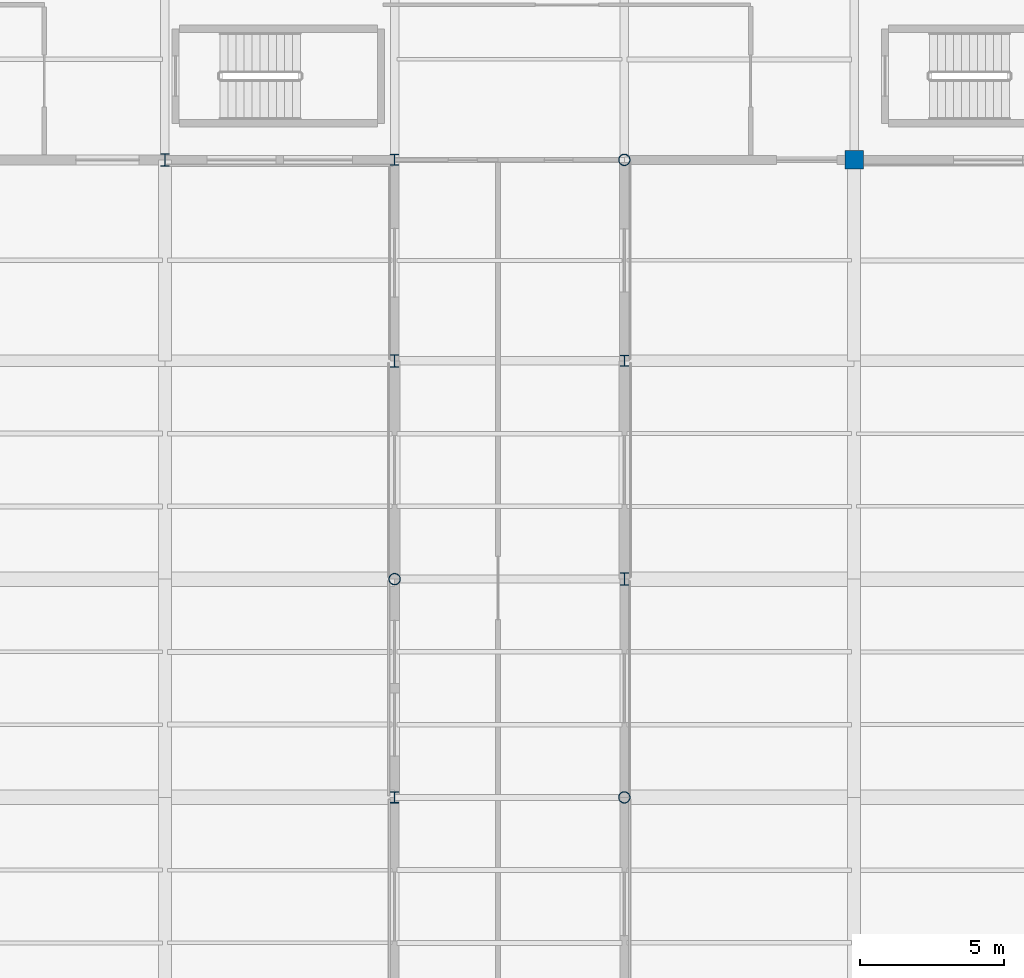
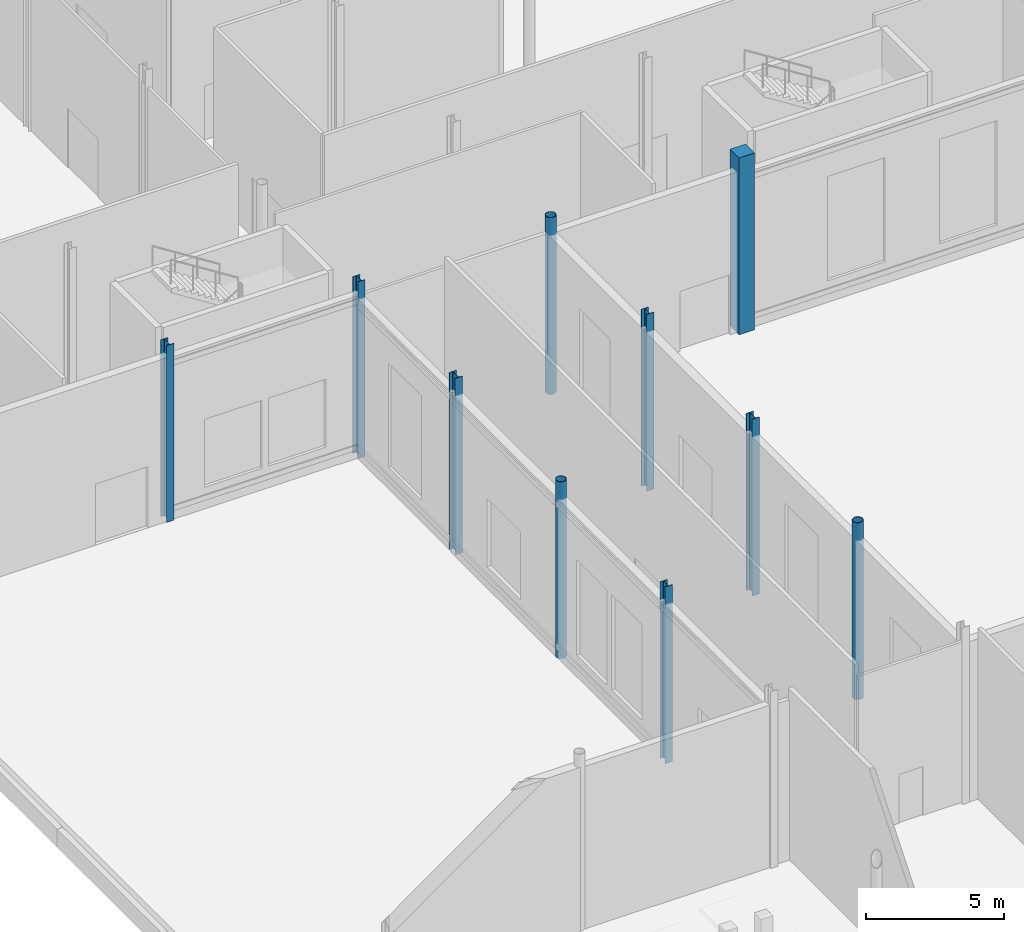
# One storey, part 4 of 176: 10 columns.
"""IFC4 building model written with IfcOpenShell, lengths in metres."""

from ifc_helpers import new_model, si_unit, direction, frame, origin, origin_2d, place, context, subcontext, project, spatial, rectangle, hollow_circle, i_section, extrude, material, material_profile, profile_set, type_object, element, save


model = new_model("IFC4")

# Units and contexts
model_context = context("Model", 3, precision=1e-05, world=origin(), true_north=direction((0.0, 1.0)))
body_context = subcontext(model_context, "Body", "Model", "MODEL_VIEW")
ifc_project = project(units=[si_unit("LENGTHUNIT", "METRE"), si_unit("AREAUNIT", "SQUARE_METRE"), si_unit("VOLUMEUNIT", "CUBIC_METRE"), si_unit("PLANEANGLEUNIT", "RADIAN"), si_unit("MASSUNIT", "GRAM", prefix="KILO")], contexts=[model_context])

# Site, building, storey
site_placement = place(None, origin())
site = spatial("IfcSite", under=ifc_project, at=site_placement, CompositionType="ELEMENT")
building_placement = place(site_placement, origin())
building = spatial("IfcBuilding", under=site, at=building_placement, Name="Vekula Escarpment Museum", CompositionType="ELEMENT")
storey_placement = place(building_placement, origin())
storey = spatial("IfcBuildingStorey", under=building, at=storey_placement, Name="L01", CompositionType="ELEMENT", Elevation=0.0)

# Columns
ifc_material_1 = material(Name="Steel S355", Category="steel")
ifc_material_profile_1 = material_profile(ifc_material_1, hollow_circle(Radius=0.203125, WallThickness=0.02001953125, at=origin_2d()), Name="CHS 406.4x20")
ifc_profile_set_1 = profile_set([ifc_material_profile_1], Name="Steel S355")
column_type_1 = type_object("IfcColumnType", Name="COL-S-CHS406", PredefinedType="COLUMN", material=ifc_profile_set_1)
for number, where, z_axis, x_axis, name in (
    (1, (40.0, 38.0, 0.0), (0.0, 0.0, 1.0), (1.0, 0.0, 0.0), "Column L01 (40.0,38.0)"),
    (2, (48.0, 30.39990234375, 0.0), (0.0, 0.0, 1.0), (1.0, 0.0, 0.0), "Column L01 (48.0,30.4)"),
    (3, (48.0, 52.60009765625, 0.0), (0.0, 0.0, 1.0), (1.0, 0.0, 0.0), "Column L01 (48.0,52.6)"),
):
    element("IfcColumn", number, at=place(storey_placement, frame(where, z_axis=z_axis, x_axis=x_axis)), inside=storey, type_object=column_type_1, Name=name, PredefinedType="COLUMN", context=body_context, shape_type="SweptSolid", body=[
        extrude(hollow_circle(Radius=0.203125, WallThickness=0.02001953125, at=origin_2d()), origin(), (0.0, 0.0, 1.0), 7.800048828125),
    ])
ifc_material_2 = material(Name="Steel S355", Category="steel")
ifc_material_profile_2 = material_profile(ifc_material_2, i_section(OverallWidth=0.300048828125, OverallDepth=0.389892578125, WebThickness=0.010986328125, FlangeThickness=0.01904296875, FilletRadius=0.027099609375, at=origin_2d()), Name="HEA 400")
ifc_profile_set_2 = profile_set([ifc_material_profile_2], Name="Steel S355")
column_type_2 = type_object("IfcColumnType", Name="COL-S-HEA400", PredefinedType="COLUMN", material=ifc_profile_set_2)
for number, where, z_axis, x_axis, name in (
    (4, (40.0, 30.39990234375, 0.0), (0.0, 0.0, 1.0), (1.0, 0.0, 0.0), "Column L01 (40.0,30.4)"),
    (5, (40.0, 52.60009765625, 0.0), (0.0, 0.0, 1.0), (1.0, 0.0, 0.0), "Column L01 (40.0,52.6)"),
    (6, (48.0, 45.60009765625, 0.0), (0.0, 0.0, 1.0), (1.0, 0.0, 0.0), "Column L01 (48.0,45.6)"),
):
    element("IfcColumn", number, at=place(storey_placement, frame(where, z_axis=z_axis, x_axis=x_axis)), inside=storey, type_object=column_type_2, Name=name, PredefinedType="COLUMN", context=body_context, shape_type="SweptSolid", body=[
        extrude(i_section(OverallWidth=0.300048828125, OverallDepth=0.389892578125, WebThickness=0.010986328125, FlangeThickness=0.01904296875, FilletRadius=0.027099609375, at=origin_2d()), origin(), (0.0, 0.0, 1.0), 7.800048828125),
    ])
ifc_material_3 = material(Name="Steel S355", Category="steel")
ifc_material_profile_3 = material_profile(ifc_material_3, i_section(OverallWidth=0.300048828125, OverallDepth=0.43994140625, WebThickness=0.011474609375, FlangeThickness=0.02099609375, FilletRadius=0.027099609375, at=origin_2d()), Name="HEA 450")
ifc_profile_set_3 = profile_set([ifc_material_profile_3], Name="Steel S355")
column_type_3 = type_object("IfcColumnType", Name="COL-S-HEA450", PredefinedType="COLUMN", material=ifc_profile_set_3)
for number, where, z_axis, x_axis, name in (
    (7, (32.0, 52.60009765625, 0.0), (0.0, 0.0, 1.0), (1.0, 0.0, 0.0), "Column L01 (32.0,52.6)"),
    (8, (40.0, 45.60009765625, 0.0), (0.0, 0.0, 1.0), (1.0, 0.0, 0.0), "Column L01 (40.0,45.6)"),
    (9, (48.0, 38.0, 0.0), (0.0, 0.0, 1.0), (1.0, 0.0, 0.0), "Column L01 (48.0,38.0)"),
):
    element("IfcColumn", number, at=place(storey_placement, frame(where, z_axis=z_axis, x_axis=x_axis)), inside=storey, type_object=column_type_3, Name=name, PredefinedType="COLUMN", context=body_context, shape_type="SweptSolid", body=[
        extrude(i_section(OverallWidth=0.300048828125, OverallDepth=0.43994140625, WebThickness=0.011474609375, FlangeThickness=0.02099609375, FilletRadius=0.027099609375, at=origin_2d()), origin(), (0.0, 0.0, 1.0), 7.800048828125),
    ])
ifc_material_4 = material(Name="Inkisi arkosic sandstone masonry", Category="masonry")
ifc_material_profile_4 = material_profile(ifc_material_4, rectangle(XDim=0.64990234375, YDim=0.64990234375, at=origin_2d()), Name="PIER 650x650")
ifc_profile_set_4 = profile_set([ifc_material_profile_4], Name="Inkisi arkosic sandstone masonry")
column_type_4 = type_object("IfcColumnType", Name="PIL-ALM-650", PredefinedType="PILASTER", material=ifc_profile_set_4)
column_placement = place(storey_placement, frame((56.0, 52.60009765625, 0.0), z_axis=(0.0, 0.0, 1.0), x_axis=(1.0, 0.0, 0.0)))
element("IfcColumn", 10, at=column_placement, inside=storey, type_object=column_type_4, Name="Column L01 (56.0,52.6)", PredefinedType="PILASTER", context=body_context, shape_type="SweptSolid", body=[
    extrude(rectangle(XDim=0.64990234375, YDim=0.64990234375, at=origin_2d()), origin(), (0.0, 0.0, 1.0), 7.800048828125),
])

save(model, "model.ifc")
